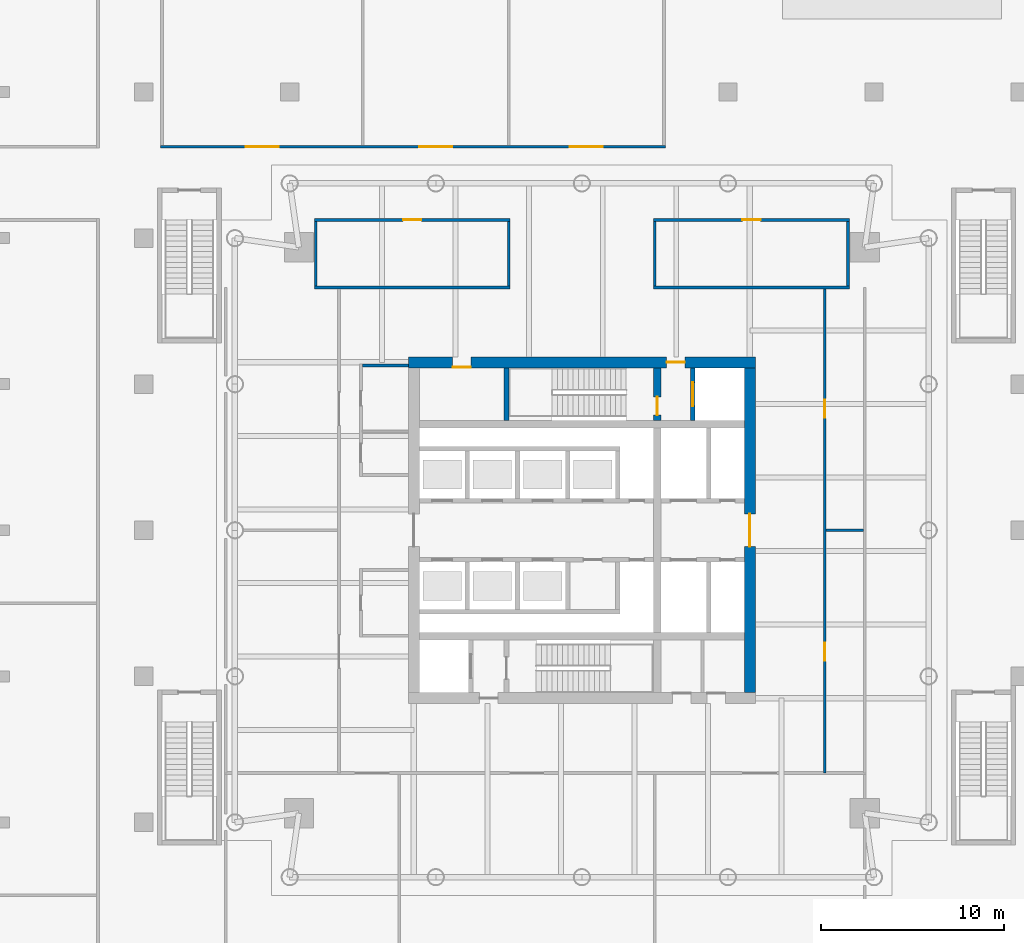
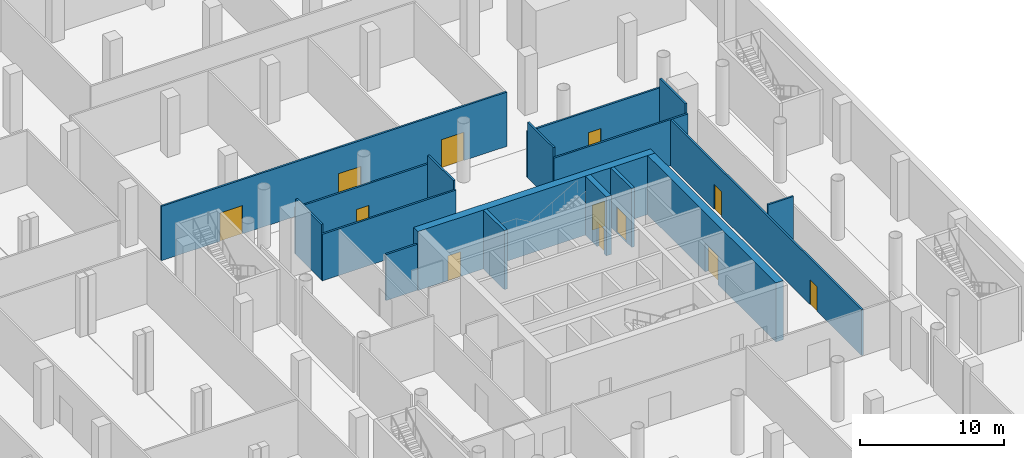
# One storey, part 14 of 22: 17 walls, 12 doors, 12 openings.
"""IFC4 building model written with IfcOpenShell, lengths in metres."""

from ifc_helpers import new_model, si_unit, direction, frame, frame_2d, origin, place, context, subcontext, project, spatial, rectangle, extrude, material, layer, layer_set, type_object, element, fill, save


model = new_model("IFC4")

# Units and contexts
model_context = context("Model", 3, precision=1e-05, world=origin(), true_north=direction((0.0, 1.0)))
body_context = subcontext(model_context, "Body", "Model", "MODEL_VIEW")
ifc_project = project(units=[si_unit("LENGTHUNIT", "METRE"), si_unit("AREAUNIT", "SQUARE_METRE"), si_unit("VOLUMEUNIT", "CUBIC_METRE"), si_unit("PLANEANGLEUNIT", "RADIAN"), si_unit("MASSUNIT", "GRAM", prefix="KILO")], contexts=[model_context])

# Site, building, storey
site_placement = place(None, origin())
site = spatial("IfcSite", under=ifc_project, at=site_placement, CompositionType="ELEMENT")
building_placement = place(site_placement, origin())
building = spatial("IfcBuilding", under=site, at=building_placement, Name="Ostroluk Exchange", CompositionType="ELEMENT")
storey_placement = place(building_placement, frame((0.0, 0.0, -5.0)))
storey = spatial("IfcBuildingStorey", under=building, at=storey_placement, Name="B1", CompositionType="ELEMENT", Elevation=-5.0)

# Wall, opening, door
ifc_material_1 = material(Name="Concrete C50/60", Category="concrete")
ifc_layer_1 = layer(ifc_material_1, 0.39990234375)
ifc_layer_set_1 = layer_set([ifc_layer_1], Name="Core cross wall 400 C50/60")
wall_type_1 = type_object("IfcWallType", Name="Core cross wall 400 C50/60", PredefinedType="SHEAR", material=ifc_layer_set_1)
wall_1_placement = place(storey_placement, frame((121.1298828125, 52.0, 0.0), z_axis=(0.0, 0.0, 1.0), x_axis=(0.0, 1.0, 0.0)))
wall_1 = element("IfcWall", 1, at=wall_1_placement, inside=storey, type_object=wall_type_1, Name="T2 core wall YE3", PredefinedType="SHEAR", context=body_context, shape_type="SweptSolid", body=[
    extrude(rectangle(XDim=2.89990234375, YDim=0.39990234375, at=frame_2d((1.449951171875, 0.0))), origin(), (0.0, 0.0, 1.0), 5.0),
])
opening_1_placement = place(wall_1_placement, frame((0.300048828125, 0.0, 0.0)))
opening_1 = element("IfcOpeningElement", 2, at=opening_1_placement, cuts=wall_1, Name="Opening FD60", PredefinedType="OPENING", context=body_context, shape_type="SweptSolid", body=[
    extrude(rectangle(XDim=1.0, YDim=2.10009765625, at=frame_2d((0.5, 1.050048828125))), frame((0.0, 0.2099609375, 0.0), z_axis=(0.0, -1.0, 0.0), x_axis=(1.0, 0.0, 0.0)), (0.0, 0.0, 1.0), 0.419921875),
])
ifc_material_2 = material(Name="Steel", Category="steel")
door_type_1 = type_object("IfcDoorType", Name="Fire door EI 60 1000 x 2100", OperationType="SINGLE_SWING_LEFT", PredefinedType="DOOR", material=ifc_material_2)
door_1_placement = place(opening_1_placement, origin())
door_1 = element("IfcDoor", 3, at=door_1_placement, inside=storey, type_object=door_type_1, Name="Stair T2-S2 door", OperationType="SINGLE_SWING_LEFT", OverallHeight=2.10009765625, OverallWidth=1.0, PredefinedType="DOOR", context=body_context, shape_type="SweptSolid", body=[
    extrude(rectangle(XDim=1.0, YDim=2.10009765625, at=frame_2d((0.5, 1.050048828125))), frame((0.0, 0.02490234375, 0.0), z_axis=(0.0, -1.0, 0.0), x_axis=(1.0, 0.0, 0.0)), (0.0, 0.0, 1.0), 0.050048828125),
])
fill(opening_1, door_1)

# Wall
ifc_material_3 = material(Name="Concrete C40/50", Category="concrete")
ifc_layer_2 = layer(ifc_material_3, 0.25)
ifc_layer_set_2 = layer_set([ifc_layer_2], Name="Core shaft wall 250")
wall_type_2 = type_object("IfcWallType", Name="Core shaft wall 250", PredefinedType="SHEAR", material=ifc_layer_set_2)
wall_2_placement = place(storey_placement, frame((112.875, 52.0, 0.0), z_axis=(0.0, 0.0, 1.0), x_axis=(0.0, 1.0, 0.0)))
element("IfcWall", 4, at=wall_2_placement, inside=storey, type_object=wall_type_2, Name="Stair shaft wall", PredefinedType="SHEAR", context=body_context, shape_type="SweptSolid", body=[
    extrude(rectangle(XDim=2.89990234375, YDim=0.25, at=frame_2d((1.449951171875, 0.0))), origin(), (0.0, 0.0, 1.0), 5.0),
])

# Wall, opening, door
wall_3_placement = place(storey_placement, frame((123.074951171875, 52.0, 0.0), z_axis=(0.0, 0.0, 1.0), x_axis=(0.0, 1.0, 0.0)))
wall_3 = element("IfcWall", 5, at=wall_3_placement, inside=storey, type_object=wall_type_2, Name="Firefighting lift shaft wall", PredefinedType="SHEAR", context=body_context, shape_type="SweptSolid", body=[
    extrude(rectangle(XDim=2.89990234375, YDim=0.25, at=frame_2d((1.449951171875, 0.0))), origin(), (0.0, 0.0, 1.0), 5.0),
])
opening_2_placement = place(wall_3_placement, frame((0.800048828125, 0.0, 0.0)))
opening_2 = element("IfcOpeningElement", 6, at=opening_2_placement, cuts=wall_3, Name="Opening LD2", PredefinedType="OPENING", context=body_context, shape_type="SweptSolid", body=[
    extrude(rectangle(XDim=1.300048828125, YDim=2.199951171875, at=frame_2d((0.64990234375, 1.10009765625))), frame((0.0, 0.135009765625, 0.0), z_axis=(0.0, -1.0, 0.0), x_axis=(1.0, 0.0, 0.0)), (0.0, 0.0, 1.0), 0.27001953125),
])
ifc_material_4 = material(Name="Stainless steel", Category="steel")
door_type_2 = type_object("IfcDoorType", Name="Lift landing door E 60 1300 x 2200", OperationType="DOUBLE_DOOR_SLIDING", PredefinedType="DOOR", material=ifc_material_4)
door_2_placement = place(opening_2_placement, origin())
door_2 = element("IfcDoor", 7, at=door_2_placement, inside=storey, type_object=door_type_2, Name="Lift HF2 landing door", OperationType="DOUBLE_DOOR_SLIDING", OverallHeight=2.199951171875, OverallWidth=1.300048828125, PredefinedType="DOOR", context=body_context, shape_type="SweptSolid", body=[
    extrude(rectangle(XDim=1.300048828125, YDim=2.199951171875, at=frame_2d((0.64990234375, 1.10009765625))), frame((0.0, 0.02490234375, 0.0), z_axis=(0.0, -1.0, 0.0), x_axis=(1.0, 0.0, 0.0)), (0.0, 0.0, 1.0), 0.050048828125),
])
fill(opening_2, door_2)

# Wall, openings, doors
ifc_material_5 = material(Name="Concrete C50/60", Category="concrete")
ifc_layer_3 = layer(ifc_material_5, 0.60009765625)
ifc_layer_set_3 = layer_set([ifc_layer_3], Name="Core wall 600 C50/60")
wall_type_3 = type_object("IfcWallType", Name="Core wall 600 C50/60", PredefinedType="SHEAR", material=ifc_layer_set_3)
wall_4_placement = place(storey_placement, frame((107.5, 55.199951171875, 0.0), z_axis=(0.0, 0.0, 1.0), x_axis=(1.0, 0.0, 0.0)))
wall_4 = element("IfcWall", 8, at=wall_4_placement, inside=storey, type_object=wall_type_3, Name="T2 core wall N", PredefinedType="SHEAR", context=body_context, shape_type="SweptSolid", body=[
    extrude(rectangle(XDim=19.0, YDim=0.60009765625, at=frame_2d((9.5, 0.0))), origin(), (0.0, 0.0, 1.0), 5.0),
])
opening_3_placement = place(wall_4_placement, frame((14.139892578125, 0.0, 0.0)))
opening_3 = element("IfcOpeningElement", 9, at=opening_3_placement, cuts=wall_4, Name="Opening FD60", PredefinedType="OPENING", context=body_context, shape_type="SweptSolid", body=[
    extrude(rectangle(XDim=1.0, YDim=2.10009765625, at=frame_2d((0.5, 1.050048828125))), frame((0.0, 0.31005859375, 0.0), z_axis=(0.0, -1.0, 0.0), x_axis=(1.0, 0.0, 0.0)), (0.0, 0.0, 1.0), 0.6201171875),
])
opening_4_placement = place(wall_4_placement, frame((2.425048828125, 0.0, 0.0)))
opening_4 = element("IfcOpeningElement", 10, at=opening_4_placement, cuts=wall_4, Name="Opening FD60", PredefinedType="OPENING", context=body_context, shape_type="SweptSolid", body=[
    extrude(rectangle(XDim=1.0, YDim=2.10009765625, at=frame_2d((0.5, 1.050048828125))), frame((0.0, 0.31005859375, 0.0), z_axis=(0.0, -1.0, 0.0), x_axis=(1.0, 0.0, 0.0)), (0.0, 0.0, 1.0), 0.6201171875),
])
door_3_placement = place(opening_3_placement, origin())
door_3 = element("IfcDoor", 11, at=door_3_placement, inside=storey, type_object=door_type_1, Name="Firefighting lobby door", OperationType="SINGLE_SWING_RIGHT", OverallHeight=2.10009765625, OverallWidth=1.0, PredefinedType="DOOR", context=body_context, shape_type="SweptSolid", body=[
    extrude(rectangle(XDim=1.0, YDim=2.10009765625, at=frame_2d((0.5, 1.050048828125))), frame((0.0, 0.02490234375, 0.0), z_axis=(0.0, -1.0, 0.0), x_axis=(1.0, 0.0, 0.0)), (0.0, 0.0, 1.0), 0.050048828125),
])
fill(opening_3, door_3)
door_4_placement = place(opening_4_placement, origin())
door_4 = element("IfcDoor", 12, at=door_4_placement, inside=storey, type_object=door_type_1, Name="Cleaner's store door", OperationType="SINGLE_SWING_LEFT", OverallHeight=2.10009765625, OverallWidth=1.0, PredefinedType="DOOR", context=body_context, shape_type="SweptSolid", body=[
    extrude(rectangle(XDim=1.0, YDim=2.10009765625, at=frame_2d((0.5, 1.050048828125))), frame((0.0, -0.23974609375, 0.0), z_axis=(0.0, -1.0, 0.0), x_axis=(1.0, 0.0, 0.0)), (0.0, 0.0, 1.0), 0.050048828125),
])
fill(opening_4, door_4)

# Wall, opening, door
wall_5_placement = place(storey_placement, frame((126.199951171875, 37.10009765625, 0.0), z_axis=(0.0, 0.0, 1.0), x_axis=(0.0, 1.0, 0.0)))
wall_5 = element("IfcWall", 13, at=wall_5_placement, inside=storey, type_object=wall_type_3, Name="T2 core wall E", PredefinedType="SHEAR", context=body_context, shape_type="SweptSolid", body=[
    extrude(rectangle(XDim=17.7998046875, YDim=0.60009765625, at=frame_2d((8.89990234375, 0.0))), origin(), (0.0, 0.0, 1.0), 5.0),
])
opening_5_placement = place(wall_5_placement, frame((8.0, 0.0, 0.0)))
opening_5 = element("IfcOpeningElement", 14, at=opening_5_placement, cuts=wall_5, Name="Opening FD30D", PredefinedType="OPENING", context=body_context, shape_type="SweptSolid", body=[
    extrude(rectangle(XDim=1.800048828125, YDim=2.39990234375, at=frame_2d((0.89990234375, 1.199951171875))), frame((0.0, 0.31005859375, 0.0), z_axis=(0.0, -1.0, 0.0), x_axis=(1.0, 0.0, 0.0)), (0.0, 0.0, 1.0), 0.6201171875),
])
ifc_material_6 = material(Name="Timber", Category="wood")
door_type_3 = type_object("IfcDoorType", Name="Lobby double door EI 30 1800 x 2400", OperationType="DOUBLE_DOOR_SINGLE_SWING", PredefinedType="DOOR", material=ifc_material_6)
door_5_placement = place(opening_5_placement, origin())
door_5 = element("IfcDoor", 15, at=door_5_placement, inside=storey, type_object=door_type_3, Name="Lift lobby doors", OperationType="DOUBLE_DOOR_SINGLE_SWING", OverallHeight=2.39990234375, OverallWidth=1.800048828125, PredefinedType="DOOR", context=body_context, shape_type="SweptSolid", body=[
    extrude(rectangle(XDim=1.800048828125, YDim=2.39990234375, at=frame_2d((0.89990234375, 1.199951171875))), frame((0.0, 0.02490234375, 0.0), z_axis=(0.0, -1.0, 0.0), x_axis=(1.0, 0.0, 0.0)), (0.0, 0.0, 1.0), 0.050048828125),
])
fill(opening_5, door_5)

# Wall, openings, doors
ifc_material_7 = material(Name="Gypsum plasterboard partition", Category="gypsum")
ifc_layer_4 = layer(ifc_material_7, 0.14990234375)
ifc_layer_set_4 = layer_set([ifc_layer_4], Name="Plasterboard partition 150")
wall_type_4 = type_object("IfcWallType", Name="Plasterboard partition 150", PredefinedType="PARTITIONING", material=ifc_layer_set_4)
wall_6_placement = place(storey_placement, frame((130.300048828125, 32.699951171875, 0.0), z_axis=(0.0, 0.0, 1.0), x_axis=(0.0, 1.0, 0.0)))
wall_6 = element("IfcWall", 16, at=wall_6_placement, inside=storey, type_object=wall_type_4, Name="Partition", PredefinedType="PARTITIONING", context=body_context, shape_type="SweptSolid", body=[
    extrude(rectangle(XDim=26.60009765625, YDim=0.14990234375, at=frame_2d((13.300048828125, 0.0))), origin(), (0.0, 0.0, 1.0), 3.89990234375),
])
opening_6_placement = place(wall_6_placement, frame((6.14990234375, 0.0, 0.0)))
opening_6 = element("IfcOpeningElement", 17, at=opening_6_placement, cuts=wall_6, Name="Opening D-03", PredefinedType="OPENING", context=body_context, shape_type="SweptSolid", body=[
    extrude(rectangle(XDim=1.0, YDim=2.10009765625, at=frame_2d((0.5, 1.050048828125))), frame((0.0, 0.0849609375, 0.0), z_axis=(0.0, -1.0, 0.0), x_axis=(1.0, 0.0, 0.0)), (0.0, 0.0, 1.0), 0.169921875),
])
opening_7_placement = place(wall_6_placement, frame((19.449951171875, 0.0, 0.0)))
opening_7 = element("IfcOpeningElement", 18, at=opening_7_placement, cuts=wall_6, Name="Opening D-03", PredefinedType="OPENING", context=body_context, shape_type="SweptSolid", body=[
    extrude(rectangle(XDim=1.0, YDim=2.10009765625, at=frame_2d((0.5, 1.050048828125))), frame((0.0, 0.0849609375, 0.0), z_axis=(0.0, -1.0, 0.0), x_axis=(1.0, 0.0, 0.0)), (0.0, 0.0, 1.0), 0.169921875),
])
ifc_material_8 = material(Name="Timber", Category="wood")
door_type_4 = type_object("IfcDoorType", Name="Internal door 1000 x 2100", OperationType="SINGLE_SWING_LEFT", PredefinedType="DOOR", material=ifc_material_8)
door_6_placement = place(opening_6_placement, origin())
door_6 = element("IfcDoor", 19, at=door_6_placement, inside=storey, type_object=door_type_4, Name="Store door", OperationType="SINGLE_SWING_LEFT", OverallHeight=2.10009765625, OverallWidth=1.0, PredefinedType="DOOR", context=body_context, shape_type="SweptSolid", body=[
    extrude(rectangle(XDim=1.0, YDim=2.10009765625, at=frame_2d((0.5, 1.050048828125))), frame((0.0, 0.02490234375, 0.0), z_axis=(0.0, -1.0, 0.0), x_axis=(1.0, 0.0, 0.0)), (0.0, 0.0, 1.0), 0.050048828125),
])
fill(opening_6, door_6)
door_7_placement = place(opening_7_placement, origin())
door_7 = element("IfcDoor", 20, at=door_7_placement, inside=storey, type_object=door_type_4, Name="Store door", OperationType="SINGLE_SWING_RIGHT", OverallHeight=2.10009765625, OverallWidth=1.0, PredefinedType="DOOR", context=body_context, shape_type="SweptSolid", body=[
    extrude(rectangle(XDim=1.0, YDim=2.10009765625, at=frame_2d((0.5, 1.050048828125))), frame((0.0, 0.02490234375, 0.0), z_axis=(0.0, -1.0, 0.0), x_axis=(1.0, 0.0, 0.0)), (0.0, 0.0, 1.0), 0.050048828125),
])
fill(opening_7, door_7)

# Walls
wall_7_placement = place(storey_placement, frame((130.375, 46.0, 0.0), z_axis=(0.0, 0.0, 1.0), x_axis=(1.0, 0.0, 0.0)))
element("IfcWall", 21, at=wall_7_placement, inside=storey, type_object=wall_type_4, Name="Partition", PredefinedType="PARTITIONING", context=body_context, shape_type="SweptSolid", body=[
    extrude(rectangle(XDim=2.050048828125, YDim=0.14990234375, at=frame_2d((1.02490234375, 0.0))), origin(), (0.0, 0.0, 1.0), 4.699951171875),
])
wall_8_placement = place(storey_placement, frame((102.35009765625, 59.300048828125, 0.0), z_axis=(0.0, 0.0, 1.0), x_axis=(1.0, 0.0, 0.0)))
element("IfcWall", 22, at=wall_8_placement, inside=storey, type_object=wall_type_4, Name="Partition", PredefinedType="PARTITIONING", context=body_context, shape_type="SweptSolid", body=[
    extrude(rectangle(XDim=10.724853515625, YDim=0.14990234375, at=frame_2d((5.3623046875, 0.0))), origin(), (0.0, 0.0, 1.0), 3.947021484375),
])

# Wall, opening, door
wall_9_placement = place(storey_placement, frame((102.35009765625, 63.0, 0.0), z_axis=(0.0, 0.0, 1.0), x_axis=(1.0, 0.0, 0.0)))
wall_9 = element("IfcWall", 23, at=wall_9_placement, inside=storey, type_object=wall_type_4, Name="Partition", PredefinedType="PARTITIONING", context=body_context, shape_type="SweptSolid", body=[
    extrude(rectangle(XDim=10.724853515625, YDim=0.14990234375, at=frame_2d((5.3623046875, 0.0))), origin(), (0.0, 0.0, 1.0), 3.947021484375),
])
opening_8_placement = place(wall_9_placement, frame((4.862548828125, 0.0, 0.0)))
opening_8 = element("IfcOpeningElement", 24, at=opening_8_placement, cuts=wall_9, Name="Opening D-03", PredefinedType="OPENING", context=body_context, shape_type="SweptSolid", body=[
    extrude(rectangle(XDim=1.0, YDim=2.10009765625, at=frame_2d((0.5, 1.050048828125))), frame((0.0, 0.0849609375, 0.0), z_axis=(0.0, -1.0, 0.0), x_axis=(1.0, 0.0, 0.0)), (0.0, 0.0, 1.0), 0.169921875),
])
door_8_placement = place(opening_8_placement, origin())
door_8 = element("IfcDoor", 25, at=door_8_placement, inside=storey, type_object=door_type_4, Name="Store door", OperationType="SINGLE_SWING_LEFT", OverallHeight=2.10009765625, OverallWidth=1.0, PredefinedType="DOOR", context=body_context, shape_type="SweptSolid", body=[
    extrude(rectangle(XDim=1.0, YDim=2.10009765625, at=frame_2d((0.5, 1.050048828125))), frame((0.0, 0.02490234375, 0.0), z_axis=(0.0, -1.0, 0.0), x_axis=(1.0, 0.0, 0.0)), (0.0, 0.0, 1.0), 0.050048828125),
])
fill(opening_8, door_8)

# Walls
for number, where, z_axis, x_axis, name in (
    (26, (102.425048828125, 59.375, 0.0), (0.0, 0.0, 1.0), (0.0, 1.0, 0.0), "Partition"),
    (27, (113.0, 59.375, 0.0), (0.0, 0.0, 1.0), (0.0, 1.0, 0.0), "Partition"),
):
    element("IfcWall", number, at=place(storey_placement, frame(where, z_axis=z_axis, x_axis=x_axis)), inside=storey, type_object=wall_type_4, Name=name, PredefinedType="PARTITIONING", context=body_context, shape_type="SweptSolid", body=[
        extrude(rectangle(XDim=3.550048828125, YDim=0.14990234375, at=frame_2d((1.77490234375, 0.0))), origin(), (0.0, 0.0, 1.0), 4.699951171875),
    ])
wall_10_placement = place(storey_placement, frame((120.925048828125, 59.300048828125, 0.0), z_axis=(0.0, 0.0, 1.0), x_axis=(1.0, 0.0, 0.0)))
element("IfcWall", 28, at=wall_10_placement, inside=storey, type_object=wall_type_4, Name="Partition", PredefinedType="PARTITIONING", context=body_context, shape_type="SweptSolid", body=[
    extrude(rectangle(XDim=10.724853515625, YDim=0.14990234375, at=frame_2d((5.3623046875, 0.0))), origin(), (0.0, 0.0, 1.0), 3.89990234375),
])

# Wall, opening, door
wall_11_placement = place(storey_placement, frame((120.925048828125, 63.0, 0.0), z_axis=(0.0, 0.0, 1.0), x_axis=(1.0, 0.0, 0.0)))
wall_11 = element("IfcWall", 29, at=wall_11_placement, inside=storey, type_object=wall_type_4, Name="Partition", PredefinedType="PARTITIONING", context=body_context, shape_type="SweptSolid", body=[
    extrude(rectangle(XDim=10.724853515625, YDim=0.14990234375, at=frame_2d((5.3623046875, 0.0))), origin(), (0.0, 0.0, 1.0), 3.89990234375),
])
opening_9_placement = place(wall_11_placement, frame((4.862548828125, 0.0, 0.0)))
opening_9 = element("IfcOpeningElement", 30, at=opening_9_placement, cuts=wall_11, Name="Opening D-03", PredefinedType="OPENING", context=body_context, shape_type="SweptSolid", body=[
    extrude(rectangle(XDim=1.0, YDim=2.10009765625, at=frame_2d((0.5, 1.050048828125))), frame((0.0, 0.0849609375, 0.0), z_axis=(0.0, -1.0, 0.0), x_axis=(1.0, 0.0, 0.0)), (0.0, 0.0, 1.0), 0.169921875),
])
door_9_placement = place(opening_9_placement, origin())
door_9 = element("IfcDoor", 31, at=door_9_placement, inside=storey, type_object=door_type_4, Name="Store door", OperationType="SINGLE_SWING_LEFT", OverallHeight=2.10009765625, OverallWidth=1.0, PredefinedType="DOOR", context=body_context, shape_type="SweptSolid", body=[
    extrude(rectangle(XDim=1.0, YDim=2.10009765625, at=frame_2d((0.5, 1.050048828125))), frame((0.0, 0.02490234375, 0.0), z_axis=(0.0, -1.0, 0.0), x_axis=(1.0, 0.0, 0.0)), (0.0, 0.0, 1.0), 0.050048828125),
])
fill(opening_9, door_9)

# Walls
for number, where, z_axis, x_axis, name in (
    (32, (121.0, 59.375, 0.0), (0.0, 0.0, 1.0), (0.0, 1.0, 0.0), "Partition"),
    (33, (131.574951171875, 59.375, 0.0), (0.0, 0.0, 1.0), (0.0, 1.0, 0.0), "Partition"),
):
    element("IfcWall", number, at=place(storey_placement, frame(where, z_axis=z_axis, x_axis=x_axis)), inside=storey, type_object=wall_type_4, Name=name, PredefinedType="PARTITIONING", context=body_context, shape_type="SweptSolid", body=[
        extrude(rectangle(XDim=3.550048828125, YDim=0.14990234375, at=frame_2d((1.77490234375, 0.0))), origin(), (0.0, 0.0, 1.0), 4.699951171875),
    ])

# Wall, openings, doors
wall_12_placement = place(storey_placement, frame((93.925048828125, 67.0, 0.0), z_axis=(0.0, 0.0, 1.0), x_axis=(1.0, 0.0, 0.0)))
wall_12 = element("IfcWall", 34, at=wall_12_placement, inside=storey, type_object=wall_type_4, Name="Partition", PredefinedType="PARTITIONING", context=body_context, shape_type="SweptSolid", body=[
    extrude(rectangle(XDim=27.64990234375, YDim=0.14990234375, at=frame_2d((13.824951171875, 0.0))), origin(), (0.0, 0.0, 1.0), 4.60009765625),
])
opening_10_placement = place(wall_12_placement, frame((4.675048828125, 0.0, 0.0)))
opening_10 = element("IfcOpeningElement", 35, at=opening_10_placement, cuts=wall_12, Name="Opening D-04", PredefinedType="OPENING", context=body_context, shape_type="SweptSolid", body=[
    extrude(rectangle(XDim=1.800048828125, YDim=2.39990234375, at=frame_2d((0.89990234375, 1.199951171875))), frame((0.0, 0.0849609375, 0.0), z_axis=(0.0, -1.0, 0.0), x_axis=(1.0, 0.0, 0.0)), (0.0, 0.0, 1.0), 0.169921875),
])
opening_11_placement = place(wall_12_placement, frame((14.175048828125, 0.0, 0.0)))
opening_11 = element("IfcOpeningElement", 36, at=opening_11_placement, cuts=wall_12, Name="Opening D-04", PredefinedType="OPENING", context=body_context, shape_type="SweptSolid", body=[
    extrude(rectangle(XDim=1.800048828125, YDim=2.39990234375, at=frame_2d((0.89990234375, 1.199951171875))), frame((0.0, 0.0849609375, 0.0), z_axis=(0.0, -1.0, 0.0), x_axis=(1.0, 0.0, 0.0)), (0.0, 0.0, 1.0), 0.169921875),
])
opening_12_placement = place(wall_12_placement, frame((22.425048828125, 0.0, 0.0)))
opening_12 = element("IfcOpeningElement", 37, at=opening_12_placement, cuts=wall_12, Name="Opening D-04", PredefinedType="OPENING", context=body_context, shape_type="SweptSolid", body=[
    extrude(rectangle(XDim=1.800048828125, YDim=2.39990234375, at=frame_2d((0.89990234375, 1.199951171875))), frame((0.0, 0.0849609375, 0.0), z_axis=(0.0, -1.0, 0.0), x_axis=(1.0, 0.0, 0.0)), (0.0, 0.0, 1.0), 0.169921875),
])
ifc_material_9 = material(Name="Timber", Category="wood")
door_type_5 = type_object("IfcDoorType", Name="Double door 1800 x 2400", OperationType="DOUBLE_DOOR_SINGLE_SWING", PredefinedType="DOOR", material=ifc_material_9)
door_10_placement = place(opening_10_placement, origin())
door_10 = element("IfcDoor", 38, at=door_10_placement, inside=storey, type_object=door_type_5, Name="Retail unit door", OperationType="DOUBLE_DOOR_SINGLE_SWING", OverallHeight=2.39990234375, OverallWidth=1.800048828125, PredefinedType="DOOR", context=body_context, shape_type="SweptSolid", body=[
    extrude(rectangle(XDim=1.800048828125, YDim=2.39990234375, at=frame_2d((0.89990234375, 1.199951171875))), frame((0.0, 0.02490234375, 0.0), z_axis=(0.0, -1.0, 0.0), x_axis=(1.0, 0.0, 0.0)), (0.0, 0.0, 1.0), 0.050048828125),
])
fill(opening_10, door_10)
door_11_placement = place(opening_11_placement, origin())
door_11 = element("IfcDoor", 39, at=door_11_placement, inside=storey, type_object=door_type_5, Name="Retail unit door", OperationType="DOUBLE_DOOR_SINGLE_SWING", OverallHeight=2.39990234375, OverallWidth=1.800048828125, PredefinedType="DOOR", context=body_context, shape_type="SweptSolid", body=[
    extrude(rectangle(XDim=1.800048828125, YDim=2.39990234375, at=frame_2d((0.89990234375, 1.199951171875))), frame((0.0, 0.02490234375, 0.0), z_axis=(0.0, -1.0, 0.0), x_axis=(1.0, 0.0, 0.0)), (0.0, 0.0, 1.0), 0.050048828125),
])
fill(opening_11, door_11)
door_12_placement = place(opening_12_placement, origin())
door_12 = element("IfcDoor", 40, at=door_12_placement, inside=storey, type_object=door_type_5, Name="Retail unit door", OperationType="DOUBLE_DOOR_SINGLE_SWING", OverallHeight=2.39990234375, OverallWidth=1.800048828125, PredefinedType="DOOR", context=body_context, shape_type="SweptSolid", body=[
    extrude(rectangle(XDim=1.800048828125, YDim=2.39990234375, at=frame_2d((0.89990234375, 1.199951171875))), frame((0.0, 0.02490234375, 0.0), z_axis=(0.0, -1.0, 0.0), x_axis=(1.0, 0.0, 0.0)), (0.0, 0.0, 1.0), 0.050048828125),
])
fill(opening_12, door_12)

# Wall
ifc_material_10 = material(Name="Gypsum plasterboard partition, moisture resistant", Category="gypsum")
ifc_layer_5 = layer(ifc_material_10, 0.14990234375)
ifc_layer_set_5 = layer_set([ifc_layer_5], Name="Plasterboard toilet partition 150")
wall_type_5 = type_object("IfcWallType", Name="Plasterboard toilet partition 150", PredefinedType="PARTITIONING", material=ifc_layer_set_5)
wall_13_placement = place(storey_placement, frame((104.97509765625, 55.02490234375, 0.0), z_axis=(0.0, 0.0, 1.0), x_axis=(1.0, 0.0, 0.0)))
element("IfcWall", 41, at=wall_13_placement, inside=storey, type_object=wall_type_5, Name="Toilet partition", PredefinedType="PARTITIONING", context=body_context, shape_type="SweptSolid", body=[
    extrude(rectangle(XDim=2.52490234375, YDim=0.14990234375, at=frame_2d((1.262451171875, 0.0))), origin(), (0.0, 0.0, 1.0), 3.89990234375),
])

save(model, "model.ifc")
